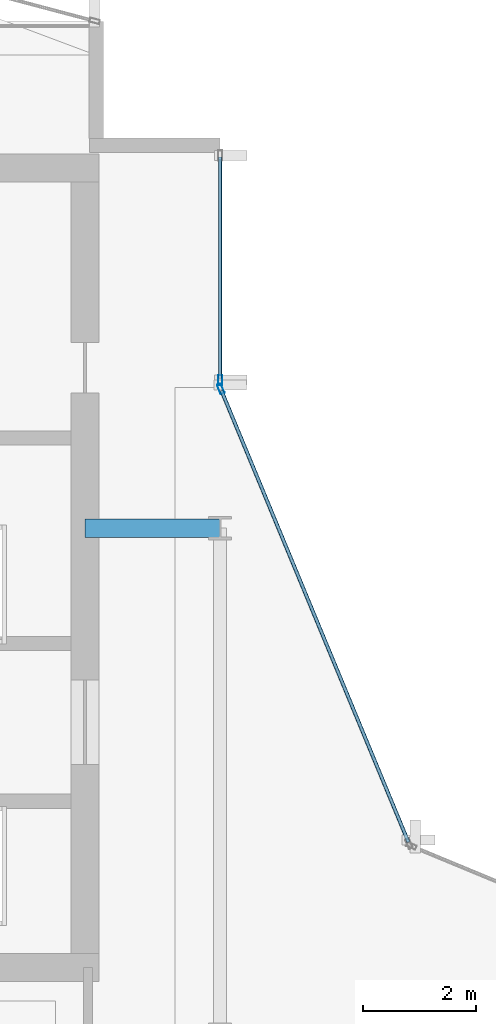
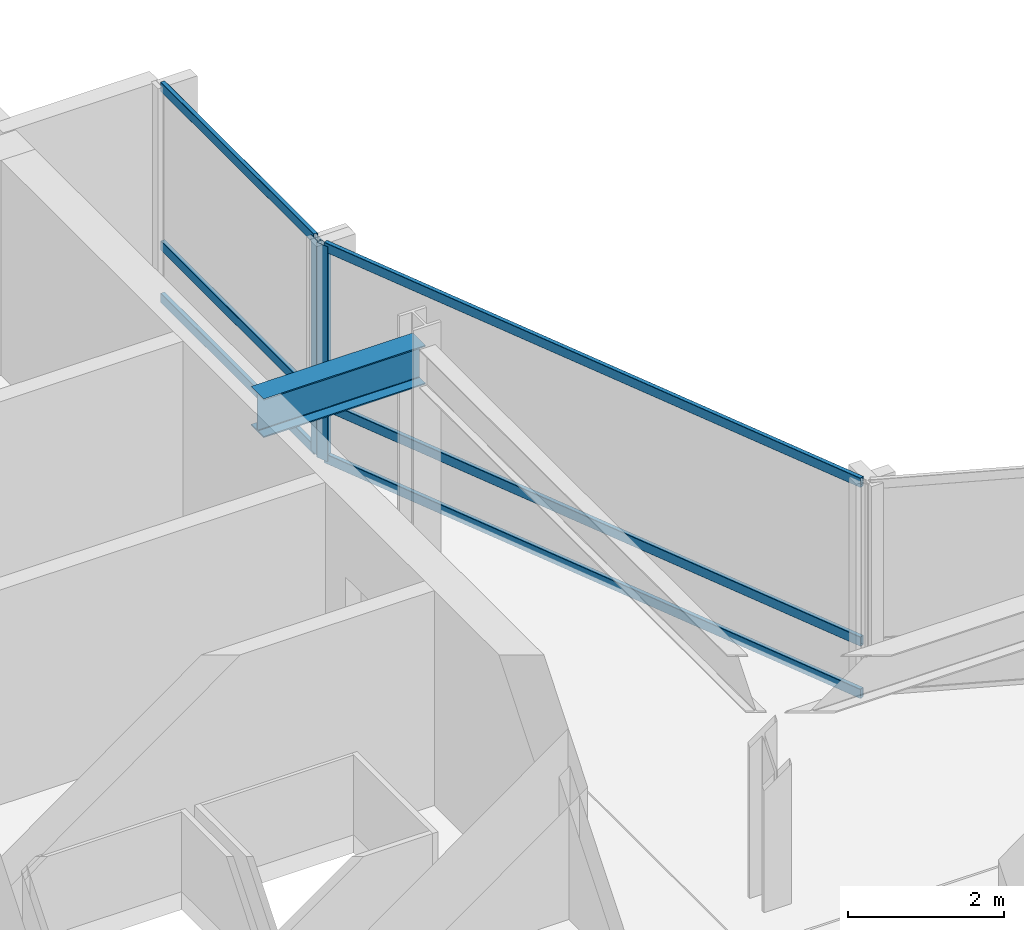
# One storey, part 17 of 27: 8 members, 1 beam, 2 elements without a shape of their own.
"""IFC4 building model written with IfcOpenShell, lengths in metres."""

from ifc_helpers import new_model, si_unit, direction, frame, origin, origin_2d, place, context, subcontext, project, spatial, hollow_rectangle, i_section, extrude, material, layer, layer_set, material_profile, profile_set, type_object, element, aggregate, save


model = new_model("IFC4")

# Units and contexts
model_context = context("Model", 3, precision=1e-05, world=origin(), true_north=direction((0.0, 1.0)))
body_context = subcontext(model_context, "Body", "Model", "MODEL_VIEW")
ifc_project = project(units=[si_unit("LENGTHUNIT", "METRE"), si_unit("AREAUNIT", "SQUARE_METRE"), si_unit("VOLUMEUNIT", "CUBIC_METRE"), si_unit("PLANEANGLEUNIT", "RADIAN"), si_unit("MASSUNIT", "GRAM", prefix="KILO")], contexts=[model_context])

# Site, building, storey
site_placement = place(None, origin())
site = spatial("IfcSite", under=ifc_project, at=site_placement, CompositionType="ELEMENT")
building_placement = place(site_placement, origin())
building = spatial("IfcBuilding", under=site, at=building_placement, Name="Solvaryn Broadcast Tower", CompositionType="ELEMENT")
storey_placement = place(building_placement, frame((0.0, 0.0, 192.699951171875)))
storey = spatial("IfcBuildingStorey", under=building, at=storey_placement, Name="L48", CompositionType="ELEMENT", Elevation=192.699951171875)

# Beam
ifc_material_1 = material(Name="Steel ASTM A992 Grade 50", Category="steel")
ifc_material_profile_1 = material_profile(ifc_material_1, i_section(OverallWidth=0.323974609375, OverallDepth=0.611083984375, WebThickness=0.0126953125, FlangeThickness=0.01904296875, FilletRadius=0.014892578125, at=origin_2d()))
ifc_profile_set_1 = profile_set([ifc_material_profile_1], Name="Steel ASTM A992 Grade 50")
beam_type = type_object("IfcBeamType", Name="BM-B1-W24X104", PredefinedType="BEAM", material=ifc_profile_set_1)
beam_placement = place(storey_placement, frame((24.60009765625, 36.0, 3.064453125), z_axis=(1.0, 0.0, 0.0), x_axis=(0.0, 1.0, 0.0)))
element("IfcBeam", 1, at=beam_placement, inside=storey, type_object=beam_type, Name="L48 Core Tie Beam CTW2", PredefinedType="BEAM", context=body_context, shape_type="SweptSolid", body=[
    extrude(i_section(OverallWidth=0.323974609375, OverallDepth=0.611083984375, WebThickness=0.0126953125, FlangeThickness=0.01904296875, FilletRadius=0.014892578125, at=origin_2d()), origin(), (0.0, 0.0, 1.0), 2.39990234375),
])

# Curtain wall, member
ifc_material_2 = material(Name="Aluminium and Terracotta Unitised Curtain Wall", Category="masonry")
ifc_layer = layer(ifc_material_2, 0.199951171875)
ifc_layer_set = layer_set([ifc_layer], Name="CW-SYS2-LOWMID")
curtain_wall_type = type_object("IfcCurtainWallType", Name="CW-SYS2-LOWMID", PredefinedType="NOTDEFINED", material=ifc_layer_set)
curtain_wall_1_placement = place(storey_placement, origin())
curtain_wall_1 = element("IfcCurtainWall", 2, at=curtain_wall_1_placement, inside=storey, type_object=curtain_wall_type, Name="L48 Curtain Wall IV", PredefinedType="NOTDEFINED")
ifc_material_3 = material(Name="Anodised Aluminium 6063-T6", Category="aluminium")
ifc_material_profile_2 = material_profile(ifc_material_3, hollow_rectangle(XDim=0.074951171875, YDim=0.179931640625, WallThickness=0.00390625, InnerFilletRadius=0.00390625, OuterFilletRadius=0.008056640625, at=origin_2d()))
ifc_profile_set_2 = profile_set([ifc_material_profile_2], Name="Anodised Aluminium 6063-T6")
member_type_1 = type_object("IfcMemberType", Name="CW-MUL-180", PredefinedType="MULLION", material=ifc_profile_set_2)
member_1_placement = place(storey_placement, frame((27.0, 38.6298828125, 0.0), z_axis=(0.0, 0.0, 1.0), x_axis=(1.0, 0.0, 0.0)))
member_1 = element("IfcMember", 3, at=member_1_placement, type_object=member_type_1, Name="CWS2 mullion 2", PredefinedType="MULLION", context=body_context, shape_type="SweptSolid", body=[
    extrude(hollow_rectangle(XDim=0.074951171875, YDim=0.179931640625, WallThickness=0.00390625, InnerFilletRadius=0.00390625, OuterFilletRadius=0.008056640625, at=origin_2d()), origin(), (0.0, 0.0, 1.0), 3.3701171875),
])

curtain_wall_2_placement = place(storey_placement, origin())
curtain_wall_2 = element("IfcCurtainWall", 4, at=curtain_wall_2_placement, inside=storey, type_object=curtain_wall_type, Name="L48 Curtain Wall CN2", PredefinedType="NOTDEFINED")
member_2_placement = place(storey_placement, frame((27.011474609375, 38.47216796875, 0.0), z_axis=(0.0, 0.0, 1.0), x_axis=(-0.923894983957, -0.382646127145, 0.0)))
member_2 = element("IfcMember", 5, at=member_2_placement, type_object=member_type_1, Name="CWS2 mullion 2", PredefinedType="MULLION", context=body_context, shape_type="SweptSolid", body=[
    extrude(hollow_rectangle(XDim=0.074951171875, YDim=0.179931640625, WallThickness=0.00390625, InnerFilletRadius=0.00390625, OuterFilletRadius=0.008056640625, at=origin_2d()), origin(), (0.0, 0.0, 1.0), 3.3701171875),
])

# Member
ifc_material_4 = material(Name="Anodised Aluminium 6063-T6", Category="aluminium")
ifc_material_profile_3 = material_profile(ifc_material_4, hollow_rectangle(XDim=0.06494140625, YDim=0.14990234375, WallThickness=0.00390625, InnerFilletRadius=0.00390625, OuterFilletRadius=0.008056640625, at=origin_2d()))
ifc_profile_set_3 = profile_set([ifc_material_profile_3], Name="Anodised Aluminium 6063-T6")
member_type_2 = type_object("IfcMemberType", Name="CW-TRN-150", PredefinedType="USERDEFINED", material=ifc_profile_set_3)
member_3_placement = place(storey_placement, frame((27.0, 42.590087890625, 0.030029296875), z_axis=(0.0, -1.0, 0.0), x_axis=(1.0, 0.0, 0.0)))
member_3 = element("IfcMember", 6, at=member_3_placement, type_object=member_type_2, Name="CWS2 transom 1.1", ObjectType="TRANSOM", PredefinedType="USERDEFINED", context=body_context, shape_type="SweptSolid", body=[
    extrude(hollow_rectangle(XDim=0.06494140625, YDim=0.14990234375, WallThickness=0.00390625, InnerFilletRadius=0.00390625, OuterFilletRadius=0.008056640625, at=origin_2d()), origin(), (0.0, 0.0, 1.0), 3.93017578125),
])

member_4_placement = place(storey_placement, frame((27.0, 42.590087890625, 0.85009765625), z_axis=(0.0, -1.0, 0.0), x_axis=(1.0, 0.0, 0.0)))
member_4 = element("IfcMember", 7, at=member_4_placement, type_object=member_type_2, Name="CWS2 transom 1.2", ObjectType="TRANSOM", PredefinedType="USERDEFINED", context=body_context, shape_type="SweptSolid", body=[
    extrude(hollow_rectangle(XDim=0.06494140625, YDim=0.14990234375, WallThickness=0.00390625, InnerFilletRadius=0.00390625, OuterFilletRadius=0.008056640625, at=origin_2d()), origin(), (0.0, 0.0, 1.0), 3.93017578125),
])

member_5_placement = place(storey_placement, frame((27.0, 42.590087890625, 3.340087890625), z_axis=(0.0, -1.0, 0.0), x_axis=(1.0, 0.0, 0.0)))
member_5 = element("IfcMember", 8, at=member_5_placement, type_object=member_type_2, Name="CWS2 transom 1.3", ObjectType="TRANSOM", PredefinedType="USERDEFINED", context=body_context, shape_type="SweptSolid", body=[
    extrude(hollow_rectangle(XDim=0.06494140625, YDim=0.14990234375, WallThickness=0.00390625, InnerFilletRadius=0.00390625, OuterFilletRadius=0.008056640625, at=origin_2d()), origin(), (0.0, 0.0, 1.0), 3.93017578125),
])

aggregate(curtain_wall_1, [member_1, member_3, member_4, member_5])

member_6_placement = place(storey_placement, frame((30.344970703125, 30.42333984375, 0.030029296875), z_axis=(-0.382635748975, 0.923899282177, 0.0), x_axis=(-0.923899282177, -0.382635748975, 0.0)))
member_6 = element("IfcMember", 9, at=member_6_placement, type_object=member_type_2, Name="CWS2 transom 1.1", ObjectType="TRANSOM", PredefinedType="USERDEFINED", context=body_context, shape_type="SweptSolid", body=[
    extrude(hollow_rectangle(XDim=0.06494140625, YDim=0.14990234375, WallThickness=0.00390625, InnerFilletRadius=0.00390625, OuterFilletRadius=0.008056640625, at=origin_2d()), origin(), (0.0, 0.0, 1.0), 8.681884765625),
])

member_7_placement = place(storey_placement, frame((30.344970703125, 30.42333984375, 0.85009765625), z_axis=(-0.382635748975, 0.923899282177, 0.0), x_axis=(-0.923899282177, -0.382635748975, 0.0)))
member_7 = element("IfcMember", 10, at=member_7_placement, type_object=member_type_2, Name="CWS2 transom 1.2", ObjectType="TRANSOM", PredefinedType="USERDEFINED", context=body_context, shape_type="SweptSolid", body=[
    extrude(hollow_rectangle(XDim=0.06494140625, YDim=0.14990234375, WallThickness=0.00390625, InnerFilletRadius=0.00390625, OuterFilletRadius=0.008056640625, at=origin_2d()), origin(), (0.0, 0.0, 1.0), 8.681884765625),
])

member_8_placement = place(storey_placement, frame((30.344970703125, 30.42333984375, 3.340087890625), z_axis=(-0.382635748975, 0.923899282177, 0.0), x_axis=(-0.923899282177, -0.382635748975, 0.0)))
member_8 = element("IfcMember", 11, at=member_8_placement, type_object=member_type_2, Name="CWS2 transom 1.3", ObjectType="TRANSOM", PredefinedType="USERDEFINED", context=body_context, shape_type="SweptSolid", body=[
    extrude(hollow_rectangle(XDim=0.06494140625, YDim=0.14990234375, WallThickness=0.00390625, InnerFilletRadius=0.00390625, OuterFilletRadius=0.008056640625, at=origin_2d()), origin(), (0.0, 0.0, 1.0), 8.681884765625),
])

aggregate(curtain_wall_2, [member_2, member_6, member_7, member_8])

save(model, "model.ifc")
